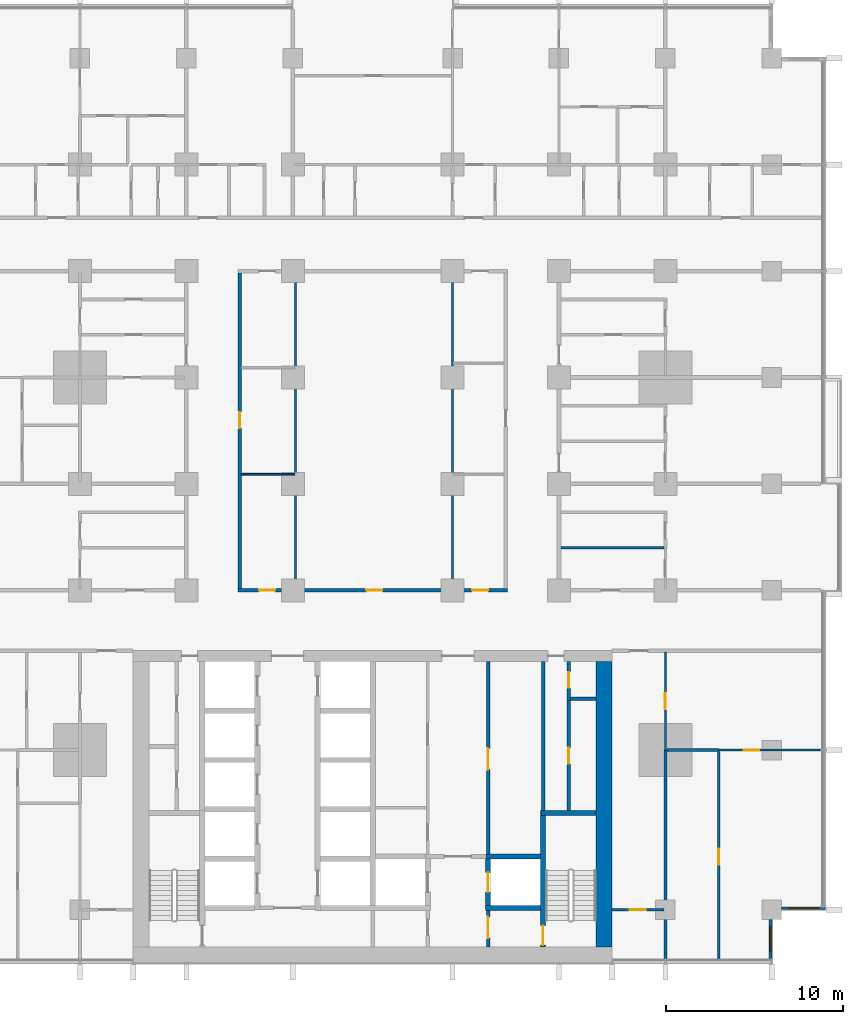
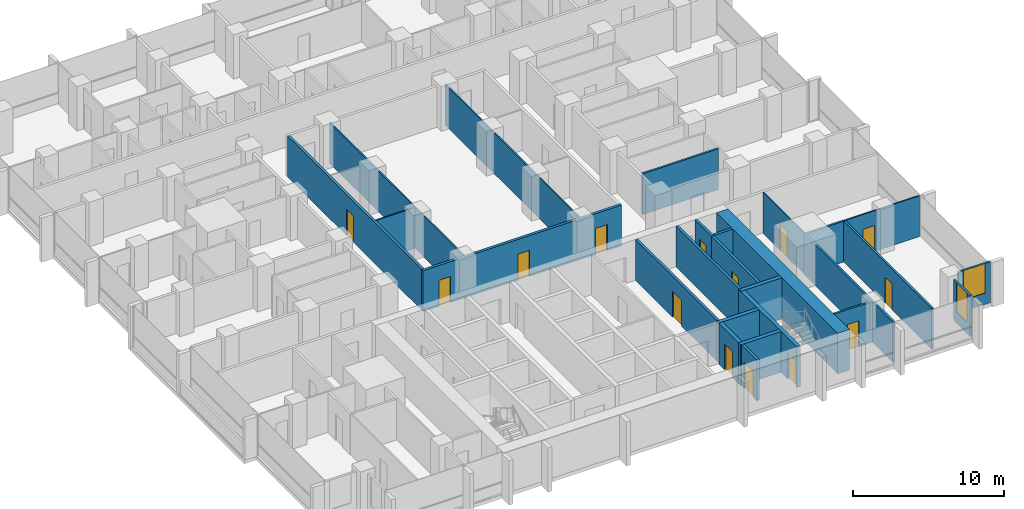
# One storey, part 9 of 18: 26 walls, 14 doors, 2 windows, 16 openings.
"""IFC4 building model written with IfcOpenShell, lengths in metres."""

from ifc_helpers import new_model, si_unit, direction, frame, frame_2d, origin, place, context, subcontext, project, spatial, rectangle, extrude, material, layer, layer_set, type_object, element, fill, save


model = new_model("IFC4")

# Units and contexts
model_context = context("Model", 3, precision=1e-05, world=origin(), true_north=direction((0.0, 1.0)))
body_context = subcontext(model_context, "Body", "Model", "MODEL_VIEW")
ifc_project = project(units=[si_unit("LENGTHUNIT", "METRE"), si_unit("AREAUNIT", "SQUARE_METRE"), si_unit("VOLUMEUNIT", "CUBIC_METRE"), si_unit("PLANEANGLEUNIT", "RADIAN"), si_unit("MASSUNIT", "GRAM", prefix="KILO")], contexts=[model_context])

# Site, building, storey
site_placement = place(None, origin())
site = spatial("IfcSite", under=ifc_project, at=site_placement, CompositionType="ELEMENT")
building_placement = place(site_placement, origin())
building = spatial("IfcBuilding", under=site, at=building_placement, Name="Finial Court Residences", CompositionType="ELEMENT")
storey_placement = place(building_placement, frame((0.0, 0.0, 43.300048828125)))
storey = spatial("IfcBuildingStorey", under=building, at=storey_placement, Name="L09", CompositionType="ELEMENT", Elevation=43.300048828125)

# Wall
ifc_material_1 = material(Name="Concrete C80/95", Category="concrete")
ifc_layer_1 = layer(ifc_material_1, 0.89990234375)
ifc_layer_set_1 = layer_set([ifc_layer_1], Name="Core outer wall 900 Concrete C80/95")
wall_type_1 = type_object("IfcWallType", Name="Core outer wall 900 Concrete C80/95", PredefinedType="SHEAR", material=ifc_layer_set_1)
wall_1_placement = place(storey_placement, frame((13.050048828125, -24.60009765625, 0.0), z_axis=(0.0, 0.0, 1.0), x_axis=(0.0, 1.0, 0.0)))
element("IfcWall", 1, at=wall_1_placement, inside=storey, type_object=wall_type_1, Name="Core outer wall L09-04", PredefinedType="SHEAR", context=body_context, shape_type="SweptSolid", body=[
    extrude(rectangle(XDim=16.10009765625, YDim=0.89990234375, at=frame_2d((8.050048828125, 0.0))), origin(), (0.0, 0.0, 1.0), 3.300048828125),
])

# Wall, openings, doors
ifc_material_2 = material(Name="Gypsum board")
ifc_layer_2 = layer(ifc_material_2, 0.02490234375)
ifc_material_3 = material(Name="Acoustic mineral wool in double frame")
ifc_layer_3 = layer(ifc_material_3, 0.14990234375)
ifc_layer_4 = layer(ifc_material_2, 0.02490234375)
ifc_layer_set_2 = layer_set([ifc_layer_2, ifc_layer_3, ifc_layer_4], Name="Corridor wall 200, 1 hour")
wall_type_2 = type_object("IfcWallType", Name="Corridor wall 200, 1 hour", PredefinedType="PARTITIONING", material=ifc_layer_set_2)
wall_2_placement = place(storey_placement, frame((-7.60009765625, -4.5, 0.0), z_axis=(0.0, 0.0, 1.0), x_axis=(1.0, 0.0, 0.0)))
wall_2 = element("IfcWall", 2, at=wall_2_placement, inside=storey, type_object=wall_type_2, Name="Partition L09-010", PredefinedType="PARTITIONING", context=body_context, shape_type="SweptSolid", body=[
    extrude(rectangle(XDim=15.2001953125, YDim=0.199951171875, at=frame_2d((7.60009765625, 0.0))), origin(), (0.0, 0.0, 1.0), 3.300048828125),
])
opening_1_placement = place(wall_2_placement, frame((1.199951171875, 0.0, 0.0)))
opening_1 = element("IfcOpeningElement", 3, at=opening_1_placement, cuts=wall_2, Name="Opening L09-D008", PredefinedType="OPENING", context=body_context, shape_type="SweptSolid", body=[
    extrude(rectangle(XDim=0.89990234375, YDim=2.10009765625, at=frame_2d((0.449951171875, 1.050048828125))), frame((0.0, 0.10986328125, 0.0), z_axis=(0.0, -1.0, 0.0), x_axis=(1.0, 0.0, 0.0)), (0.0, 0.0, 1.0), 0.219970703125),
])
opening_2_placement = place(wall_2_placement, frame((7.25, 0.0, 0.0)))
opening_2 = element("IfcOpeningElement", 4, at=opening_2_placement, cuts=wall_2, Name="Opening L09-D009", PredefinedType="OPENING", context=body_context, shape_type="SweptSolid", body=[
    extrude(rectangle(XDim=0.89990234375, YDim=2.10009765625, at=frame_2d((0.449951171875, 1.050048828125))), frame((0.0, 0.10986328125, 0.0), z_axis=(0.0, -1.0, 0.0), x_axis=(1.0, 0.0, 0.0)), (0.0, 0.0, 1.0), 0.219970703125),
])
opening_3_placement = place(wall_2_placement, frame((13.199951171875, 0.0, 0.0)))
opening_3 = element("IfcOpeningElement", 5, at=opening_3_placement, cuts=wall_2, Name="Opening L09-D010", PredefinedType="OPENING", context=body_context, shape_type="SweptSolid", body=[
    extrude(rectangle(XDim=0.89990234375, YDim=2.10009765625, at=frame_2d((0.449951171875, 1.050048828125))), frame((0.0, 0.10986328125, 0.0), z_axis=(0.0, -1.0, 0.0), x_axis=(1.0, 0.0, 0.0)), (0.0, 0.0, 1.0), 0.219970703125),
])
ifc_material_4 = material(Name="Timber door leaf in hollow metal frame", Category="wood")
door_type_1 = type_object("IfcDoorType", Name="Fire door set 900 x 2100, 30 minutes", OperationType="SINGLE_SWING_LEFT", PredefinedType="DOOR", material=ifc_material_4)
door_1_placement = place(opening_1_placement, origin())
door_1 = element("IfcDoor", 6, at=door_1_placement, inside=storey, type_object=door_type_1, Name="Door L09-D008", OperationType="SINGLE_SWING_RIGHT", OverallHeight=2.10009765625, OverallWidth=0.89990234375, PredefinedType="DOOR", context=body_context, shape_type="SweptSolid", body=[
    extrude(rectangle(XDim=0.89990234375, YDim=2.10009765625, at=frame_2d((0.449951171875, 1.050048828125))), frame((0.0, 0.02490234375, 0.0), z_axis=(0.0, -1.0, 0.0), x_axis=(1.0, 0.0, 0.0)), (0.0, 0.0, 1.0), 0.050048828125),
])
fill(opening_1, door_1)
door_2_placement = place(opening_2_placement, origin())
door_2 = element("IfcDoor", 7, at=door_2_placement, inside=storey, type_object=door_type_1, Name="Door L09-D009", OperationType="SINGLE_SWING_LEFT", OverallHeight=2.10009765625, OverallWidth=0.89990234375, PredefinedType="DOOR", context=body_context, shape_type="SweptSolid", body=[
    extrude(rectangle(XDim=0.89990234375, YDim=2.10009765625, at=frame_2d((0.449951171875, 1.050048828125))), frame((0.0, 0.02490234375, 0.0), z_axis=(0.0, -1.0, 0.0), x_axis=(1.0, 0.0, 0.0)), (0.0, 0.0, 1.0), 0.050048828125),
])
fill(opening_2, door_2)
door_3_placement = place(opening_3_placement, origin())
door_3 = element("IfcDoor", 8, at=door_3_placement, inside=storey, type_object=door_type_1, Name="Door L09-D010", OperationType="SINGLE_SWING_LEFT", OverallHeight=2.10009765625, OverallWidth=0.89990234375, PredefinedType="DOOR", context=body_context, shape_type="SweptSolid", body=[
    extrude(rectangle(XDim=0.89990234375, YDim=2.10009765625, at=frame_2d((0.449951171875, 1.050048828125))), frame((0.0, 0.02490234375, 0.0), z_axis=(0.0, -1.0, 0.0), x_axis=(1.0, 0.0, 0.0)), (0.0, 0.0, 1.0), 0.050048828125),
])
fill(opening_3, door_3)

# Wall, opening, door
wall_3_placement = place(storey_placement, frame((-7.5, -4.39990234375, 0.0), z_axis=(0.0, 0.0, 1.0), x_axis=(0.0, 1.0, 0.0)))
wall_3 = element("IfcWall", 9, at=wall_3_placement, inside=storey, type_object=wall_type_2, Name="Partition L09-080", PredefinedType="PARTITIONING", context=body_context, shape_type="SweptSolid", body=[
    extrude(rectangle(XDim=17.7998046875, YDim=0.199951171875, at=frame_2d((8.89990234375, 0.0))), origin(), (0.0, 0.0, 1.0), 3.300048828125),
])
opening_4_placement = place(wall_3_placement, frame((9.050048828125, 0.0, 0.0)))
opening_4 = element("IfcOpeningElement", 10, at=opening_4_placement, cuts=wall_3, Name="Opening L09-D050", PredefinedType="OPENING", context=body_context, shape_type="SweptSolid", body=[
    extrude(rectangle(XDim=0.89990234375, YDim=2.10009765625, at=frame_2d((0.449951171875, 1.050048828125))), frame((0.0, 0.10986328125, 0.0), z_axis=(0.0, -1.0, 0.0), x_axis=(1.0, 0.0, 0.0)), (0.0, 0.0, 1.0), 0.219970703125),
])
door_4_placement = place(opening_4_placement, origin())
door_4 = element("IfcDoor", 11, at=door_4_placement, inside=storey, type_object=door_type_1, Name="Door L09-D050", OperationType="SINGLE_SWING_RIGHT", OverallHeight=2.10009765625, OverallWidth=0.89990234375, PredefinedType="DOOR", context=body_context, shape_type="SweptSolid", body=[
    extrude(rectangle(XDim=0.89990234375, YDim=2.10009765625, at=frame_2d((0.449951171875, 1.050048828125))), frame((0.0, 0.02490234375, 0.0), z_axis=(0.0, -1.0, 0.0), x_axis=(1.0, 0.0, 0.0)), (0.0, 0.0, 1.0), 0.050048828125),
])
fill(opening_4, door_4)

ifc_material_5 = material(Name="Fire-rated gypsum board partition")
ifc_layer_5 = layer(ifc_material_5, 0.199951171875)
ifc_layer_set_3 = layer_set([ifc_layer_5], Name="Firefighting lobby wall 200 EI 120")
wall_type_3 = type_object("IfcWallType", Name="Firefighting lobby wall 200 EI 120", PredefinedType="PARTITIONING", material=ifc_layer_set_3)
wall_4_placement = place(storey_placement, frame((6.5, -22.550048828125, 0.0), z_axis=(0.0, 0.0, 1.0), x_axis=(0.0, -1.0, 0.0)))
wall_4 = element("IfcWall", 12, at=wall_4_placement, inside=storey, type_object=wall_type_3, Name="Core partition L09-32", PredefinedType="PARTITIONING", context=body_context, shape_type="SweptSolid", body=[
    extrude(rectangle(XDim=2.050048828125, YDim=0.199951171875, at=frame_2d((1.02490234375, 0.0))), origin(), (0.0, 0.0, 1.0), 3.300048828125),
])
opening_5_placement = place(wall_4_placement, frame((0.35009765625, 0.0, 0.0)))
opening_5 = element("IfcOpeningElement", 13, at=opening_5_placement, cuts=wall_4, Name="Opening L09-C01", PredefinedType="OPENING", context=body_context, shape_type="SweptSolid", body=[
    extrude(rectangle(XDim=1.199951171875, YDim=2.10009765625, at=frame_2d((0.60009765625, 1.050048828125))), frame((0.0, 0.10986328125, 0.0), z_axis=(0.0, -1.0, 0.0), x_axis=(1.0, 0.0, 0.0)), (0.0, 0.0, 1.0), 0.219970703125),
])
ifc_material_6 = material(Name="Steel fire door", Category="steel")
door_type_2 = type_object("IfcDoorType", Name="Firefighting lobby door 1200 x 2100 EI 90", OperationType="NOTDEFINED", PredefinedType="DOOR", material=ifc_material_6)
door_5_placement = place(opening_5_placement, origin())
door_5 = element("IfcDoor", 14, at=door_5_placement, inside=storey, type_object=door_type_2, Name="Firefighting lobby door L09-C01", OperationType="SINGLE_SWING_RIGHT", OverallHeight=2.10009765625, OverallWidth=1.199951171875, PredefinedType="DOOR", context=body_context, shape_type="SweptSolid", body=[
    extrude(rectangle(XDim=1.199951171875, YDim=2.10009765625, at=frame_2d((0.60009765625, 1.050048828125))), frame((0.0, 0.02490234375, 0.0), z_axis=(0.0, -1.0, 0.0), x_axis=(1.0, 0.0, 0.0)), (0.0, 0.0, 1.0), 0.050048828125),
])
fill(opening_5, door_5)

ifc_layer_6 = layer(ifc_material_2, 0.012451171875)
ifc_material_7 = material(Name="Mineral wool in light-gauge frame")
ifc_layer_7 = layer(ifc_material_7, 0.074951171875)
ifc_layer_8 = layer(ifc_material_2, 0.012451171875)
ifc_layer_set_4 = layer_set([ifc_layer_6, ifc_layer_7, ifc_layer_8], Name="Gypsum board partition 100")
wall_type_4 = type_object("IfcWallType", Name="Gypsum board partition 100", PredefinedType="PARTITIONING", material=ifc_layer_set_4)
wall_5_placement = place(storey_placement, frame((19.5, -13.5, 0.0), z_axis=(0.0, 0.0, 1.0), x_axis=(1.0, 0.0, 0.0)))
wall_5 = element("IfcWall", 15, at=wall_5_placement, inside=storey, type_object=wall_type_4, Name="Partition L09-004", PredefinedType="PARTITIONING", context=body_context, shape_type="SweptSolid", body=[
    extrude(rectangle(XDim=5.75, YDim=0.10009765625, at=frame_2d((2.875, 0.0))), origin(), (0.0, 0.0, 1.0), 3.300048828125),
])
opening_6_placement = place(wall_5_placement, frame((1.39990234375, 0.0, 0.0)))
opening_6 = element("IfcOpeningElement", 16, at=opening_6_placement, cuts=wall_5, Name="Opening L09-D004", PredefinedType="OPENING", context=body_context, shape_type="SweptSolid", body=[
    extrude(rectangle(XDim=0.89990234375, YDim=2.10009765625, at=frame_2d((0.449951171875, 1.050048828125))), frame((0.0, 0.06005859375, 0.0), z_axis=(0.0, -1.0, 0.0), x_axis=(1.0, 0.0, 0.0)), (0.0, 0.0, 1.0), 0.1201171875),
])
ifc_material_8 = material(Name="Timber door leaf in timber frame", Category="wood")
door_type_3 = type_object("IfcDoorType", Name="Door set 900 x 2100", OperationType="SINGLE_SWING_LEFT", PredefinedType="DOOR", material=ifc_material_8)
door_6_placement = place(opening_6_placement, origin())
door_6 = element("IfcDoor", 17, at=door_6_placement, inside=storey, type_object=door_type_3, Name="Door L09-D004", OperationType="SINGLE_SWING_LEFT", OverallHeight=2.10009765625, OverallWidth=0.89990234375, PredefinedType="DOOR", context=body_context, shape_type="SweptSolid", body=[
    extrude(rectangle(XDim=0.89990234375, YDim=2.10009765625, at=frame_2d((0.449951171875, 1.050048828125))), frame((0.0, 0.02490234375, 0.0), z_axis=(0.0, -1.0, 0.0), x_axis=(1.0, 0.0, 0.0)), (0.0, 0.0, 1.0), 0.050048828125),
])
fill(opening_6, door_6)

# Walls
wall_6_placement = place(storey_placement, frame((-7.39990234375, 2.050048828125, 0.0), z_axis=(0.0, 0.0, 1.0), x_axis=(1.0, 0.0, 0.0)))
element("IfcWall", 18, at=wall_6_placement, inside=storey, type_object=wall_type_4, Name="Partition L09-018", PredefinedType="PARTITIONING", context=body_context, shape_type="SweptSolid", body=[
    extrude(rectangle(XDim=3.0, YDim=0.10009765625, at=frame_2d((1.5, 0.0))), origin(), (0.0, 0.0, 1.0), 3.300048828125),
])
for number, where, z_axis, x_axis, name in (
    (19, (-4.35009765625, -4.39990234375, 0.0), (0.0, 0.0, 1.0), (0.0, 1.0, 0.0), "Partition L09-083"),
    (20, (4.5, -4.39990234375, 0.0), (0.0, 0.0, 1.0), (0.0, 1.0, 0.0), "Partition L09-086"),
):
    element("IfcWall", number, at=place(storey_placement, frame(where, z_axis=z_axis, x_axis=x_axis)), inside=storey, type_object=wall_type_4, Name=name, PredefinedType="PARTITIONING", context=body_context, shape_type="SweptSolid", body=[
        extrude(rectangle(XDim=17.7998046875, YDim=0.10009765625, at=frame_2d((8.89990234375, 0.0))), origin(), (0.0, 0.0, 1.0), 3.300048828125),
    ])

# Wall, opening, door
wall_7_placement = place(storey_placement, frame((16.5, -13.5, 0.0), z_axis=(0.0, 0.0, 1.0), x_axis=(0.0, 1.0, 0.0)))
wall_7 = element("IfcWall", 21, at=wall_7_placement, inside=storey, type_object=wall_type_4, Name="Partition L09-096", PredefinedType="PARTITIONING", context=body_context, shape_type="SweptSolid", body=[
    extrude(rectangle(XDim=5.5, YDim=0.10009765625, at=frame_2d((2.75, 0.0))), origin(), (0.0, 0.0, 1.0), 3.300048828125),
])
opening_7_placement = place(wall_7_placement, frame((2.300048828125, 0.0, 0.0)))
opening_7 = element("IfcOpeningElement", 22, at=opening_7_placement, cuts=wall_7, Name="Opening L09-D062", PredefinedType="OPENING", context=body_context, shape_type="SweptSolid", body=[
    extrude(rectangle(XDim=0.89990234375, YDim=2.10009765625, at=frame_2d((0.449951171875, 1.050048828125))), frame((0.0, 0.06005859375, 0.0), z_axis=(0.0, -1.0, 0.0), x_axis=(1.0, 0.0, 0.0)), (0.0, 0.0, 1.0), 0.1201171875),
])
door_7_placement = place(opening_7_placement, origin())
door_7 = element("IfcDoor", 23, at=door_7_placement, inside=storey, type_object=door_type_3, Name="Door L09-D062", OperationType="SINGLE_SWING_RIGHT", OverallHeight=2.10009765625, OverallWidth=0.89990234375, PredefinedType="DOOR", context=body_context, shape_type="SweptSolid", body=[
    extrude(rectangle(XDim=0.89990234375, YDim=2.10009765625, at=frame_2d((0.449951171875, 1.050048828125))), frame((0.0, 0.02490234375, 0.0), z_axis=(0.0, -1.0, 0.0), x_axis=(1.0, 0.0, 0.0)), (0.0, 0.0, 1.0), 0.050048828125),
])
fill(opening_7, door_7)

ifc_material_9 = material(Name="Moisture-resistant gypsum board")
ifc_layer_9 = layer(ifc_material_9, 0.012451171875)
ifc_layer_10 = layer(ifc_material_7, 0.125)
ifc_layer_11 = layer(ifc_material_9, 0.012451171875)
ifc_layer_set_5 = layer_set([ifc_layer_9, ifc_layer_10, ifc_layer_11], Name="Gypsum board wet-area partition 150")
wall_type_5 = type_object("IfcWallType", Name="Gypsum board wet-area partition 150", PredefinedType="PARTITIONING", material=ifc_layer_set_5)
wall_8_placement = place(storey_placement, frame((13.5, -22.5, 0.0), z_axis=(0.0, 0.0, 1.0), x_axis=(1.0, 0.0, 0.0)))
wall_8 = element("IfcWall", 24, at=wall_8_placement, inside=storey, type_object=wall_type_5, Name="Partition L09-001", PredefinedType="PARTITIONING", context=body_context, shape_type="SweptSolid", body=[
    extrude(rectangle(XDim=2.925048828125, YDim=0.14990234375, at=frame_2d((1.46240234375, 0.0))), origin(), (0.0, 0.0, 1.0), 3.300048828125),
])
opening_8_placement = place(wall_8_placement, frame((1.0, 0.0, 0.0)))
opening_8 = element("IfcOpeningElement", 25, at=opening_8_placement, cuts=wall_8, Name="Opening L09-D002", PredefinedType="OPENING", context=body_context, shape_type="SweptSolid", body=[
    extrude(rectangle(XDim=0.89990234375, YDim=2.10009765625, at=frame_2d((0.449951171875, 1.050048828125))), frame((0.0, 0.0849609375, 0.0), z_axis=(0.0, -1.0, 0.0), x_axis=(1.0, 0.0, 0.0)), (0.0, 0.0, 1.0), 0.169921875),
])
door_8_placement = place(opening_8_placement, origin())
door_8 = element("IfcDoor", 26, at=door_8_placement, inside=storey, type_object=door_type_3, Name="Door L09-D002", OperationType="SINGLE_SWING_RIGHT", OverallHeight=2.10009765625, OverallWidth=0.89990234375, PredefinedType="DOOR", context=body_context, shape_type="SweptSolid", body=[
    extrude(rectangle(XDim=0.89990234375, YDim=2.10009765625, at=frame_2d((0.449951171875, 1.050048828125))), frame((0.0, 0.02490234375, 0.0), z_axis=(0.0, -1.0, 0.0), x_axis=(1.0, 0.0, 0.0)), (0.0, 0.0, 1.0), 0.050048828125),
])
fill(opening_8, door_8)

# Walls
wall_9_placement = place(storey_placement, frame((16.574951171875, -13.5, 0.0), z_axis=(0.0, 0.0, 1.0), x_axis=(1.0, 0.0, 0.0)))
element("IfcWall", 27, at=wall_9_placement, inside=storey, type_object=wall_type_5, Name="Partition L09-006", PredefinedType="PARTITIONING", context=body_context, shape_type="SweptSolid", body=[
    extrude(rectangle(XDim=2.925048828125, YDim=0.14990234375, at=frame_2d((1.46240234375, 0.0))), origin(), (0.0, 0.0, 1.0), 3.300048828125),
])
wall_10_placement = place(storey_placement, frame((10.60009765625, -2.10009765625, 0.0), z_axis=(0.0, 0.0, 1.0), x_axis=(1.0, 0.0, 0.0)))
element("IfcWall", 28, at=wall_10_placement, inside=storey, type_object=wall_type_5, Name="Partition L09-013", PredefinedType="PARTITIONING", context=body_context, shape_type="SweptSolid", body=[
    extrude(rectangle(XDim=5.824951171875, YDim=0.14990234375, at=frame_2d((2.91259765625, 0.0))), origin(), (0.0, 0.0, 1.0), 3.300048828125),
])
wall_11_placement = place(storey_placement, frame((16.5, -25.25, 0.0), z_axis=(0.0, 0.0, 1.0), x_axis=(0.0, 1.0, 0.0)))
element("IfcWall", 29, at=wall_11_placement, inside=storey, type_object=wall_type_5, Name="Partition L09-102", PredefinedType="PARTITIONING", context=body_context, shape_type="SweptSolid", body=[
    extrude(rectangle(XDim=11.75, YDim=0.14990234375, at=frame_2d((5.875, 0.0))), origin(), (0.0, 0.0, 1.0), 3.300048828125),
])

# Wall, opening, door
wall_12_placement = place(storey_placement, frame((19.5, -25.25, 0.0), z_axis=(0.0, 0.0, 1.0), x_axis=(0.0, 1.0, 0.0)))
wall_12 = element("IfcWall", 30, at=wall_12_placement, inside=storey, type_object=wall_type_5, Name="Partition L09-107", PredefinedType="PARTITIONING", context=body_context, shape_type="SweptSolid", body=[
    extrude(rectangle(XDim=11.675048828125, YDim=0.14990234375, at=frame_2d((5.83740234375, 0.0))), origin(), (0.0, 0.0, 1.0), 3.300048828125),
])
opening_9_placement = place(wall_12_placement, frame((5.300048828125, 0.0, 0.0)))
opening_9 = element("IfcOpeningElement", 31, at=opening_9_placement, cuts=wall_12, Name="Opening L09-D069", PredefinedType="OPENING", context=body_context, shape_type="SweptSolid", body=[
    extrude(rectangle(XDim=0.89990234375, YDim=2.10009765625, at=frame_2d((0.449951171875, 1.050048828125))), frame((0.0, 0.0849609375, 0.0), z_axis=(0.0, -1.0, 0.0), x_axis=(1.0, 0.0, 0.0)), (0.0, 0.0, 1.0), 0.169921875),
])
door_9_placement = place(opening_9_placement, origin())
door_9 = element("IfcDoor", 32, at=door_9_placement, inside=storey, type_object=door_type_3, Name="Door L09-D069", OperationType="SINGLE_SWING_LEFT", OverallHeight=2.10009765625, OverallWidth=0.89990234375, PredefinedType="DOOR", context=body_context, shape_type="SweptSolid", body=[
    extrude(rectangle(XDim=0.89990234375, YDim=2.10009765625, at=frame_2d((0.449951171875, 1.050048828125))), frame((0.0, 0.02490234375, 0.0), z_axis=(0.0, -1.0, 0.0), x_axis=(1.0, 0.0, 0.0)), (0.0, 0.0, 1.0), 0.050048828125),
])
fill(opening_9, door_9)

# Walls
ifc_layer_12 = layer(ifc_material_1, 0.300048828125)
ifc_layer_set_6 = layer_set([ifc_layer_12], Name="Lift shaft and stair wall 300 Concrete C80/95")
wall_type_6 = type_object("IfcWallType", Name="Lift shaft and stair wall 300 Concrete C80/95", PredefinedType="SHEAR", material=ifc_layer_set_6)
wall_13_placement = place(storey_placement, frame((6.35009765625, -22.39990234375, 0.0), z_axis=(0.0, 0.0, 1.0), x_axis=(1.0, 0.0, 0.0)))
element("IfcWall", 33, at=wall_13_placement, inside=storey, type_object=wall_type_6, Name="Core wall L09-04", PredefinedType="SHEAR", context=body_context, shape_type="SweptSolid", body=[
    extrude(rectangle(XDim=3.099853515625, YDim=0.300048828125, at=frame_2d((1.5498046875, 0.0))), origin(), (0.0, 0.0, 1.0), 3.300048828125),
])
wall_14_placement = place(storey_placement, frame((6.39990234375, -19.5, 0.0), z_axis=(0.0, 0.0, 1.0), x_axis=(1.0, 0.0, 0.0)))
element("IfcWall", 34, at=wall_14_placement, inside=storey, type_object=wall_type_6, Name="Core wall L09-09", PredefinedType="SHEAR", context=body_context, shape_type="SweptSolid", body=[
    extrude(rectangle(XDim=3.050048828125, YDim=0.300048828125, at=frame_2d((1.52490234375, 0.0))), origin(), (0.0, 0.0, 1.0), 3.300048828125),
])
wall_15_placement = place(storey_placement, frame((9.5, -17.050048828125, 0.0), z_axis=(0.0, 0.0, 1.0), x_axis=(1.0, 0.0, 0.0)))
element("IfcWall", 35, at=wall_15_placement, inside=storey, type_object=wall_type_6, Name="Core wall L09-11", PredefinedType="SHEAR", context=body_context, shape_type="SweptSolid", body=[
    extrude(rectangle(XDim=3.10009765625, YDim=0.300048828125, at=frame_2d((1.550048828125, 0.0))), origin(), (0.0, 0.0, 1.0), 3.300048828125),
])

# Wall, opening, door
wall_16_placement = place(storey_placement, frame((6.5, -22.25, 0.0), z_axis=(0.0, 0.0, 1.0), x_axis=(0.0, 1.0, 0.0)))
wall_16 = element("IfcWall", 36, at=wall_16_placement, inside=storey, type_object=wall_type_6, Name="Core wall L09-33", PredefinedType="SHEAR", context=body_context, shape_type="SweptSolid", body=[
    extrude(rectangle(XDim=2.60009765625, YDim=0.300048828125, at=frame_2d((1.300048828125, 0.0))), origin(), (0.0, 0.0, 1.0), 3.300048828125),
])
opening_10_placement = place(wall_16_placement, frame((0.75, 0.0, 0.0)))
opening_10 = element("IfcOpeningElement", 37, at=opening_10_placement, cuts=wall_16, Name="Opening L09-LD02", PredefinedType="OPENING", context=body_context, shape_type="SweptSolid", body=[
    extrude(rectangle(XDim=1.10009765625, YDim=2.10009765625, at=frame_2d((0.550048828125, 1.050048828125))), frame((0.0, 0.159912109375, 0.0), z_axis=(0.0, -1.0, 0.0), x_axis=(1.0, 0.0, 0.0)), (0.0, 0.0, 1.0), 0.320068359375),
])
ifc_material_10 = material(Name="Stainless steel lift door", Category="steel")
door_type_4 = type_object("IfcDoorType", Name="Lift landing door 1100 x 2100 EI 90", OperationType="DOUBLE_DOOR_SLIDING", PredefinedType="DOOR", material=ifc_material_10)
door_10_placement = place(opening_10_placement, origin())
door_10 = element("IfcDoor", 38, at=door_10_placement, inside=storey, type_object=door_type_4, Name="Lift landing door FF2 L09", OperationType="DOUBLE_DOOR_SLIDING", OverallHeight=2.10009765625, OverallWidth=1.10009765625, PredefinedType="DOOR", context=body_context, shape_type="SweptSolid", body=[
    extrude(rectangle(XDim=1.10009765625, YDim=2.10009765625, at=frame_2d((0.550048828125, 1.050048828125))), frame((0.0, 0.02490234375, 0.0), z_axis=(0.0, -1.0, 0.0), x_axis=(1.0, 0.0, 0.0)), (0.0, 0.0, 1.0), 0.050048828125),
])
fill(opening_10, door_10)

wall_17_placement = place(storey_placement, frame((9.60009765625, -16.89990234375, 0.0), z_axis=(0.0, 0.0, 1.0), x_axis=(0.0, -1.0, 0.0)))
wall_17 = element("IfcWall", 39, at=wall_17_placement, inside=storey, type_object=wall_type_6, Name="Core wall L09-35", PredefinedType="SHEAR", context=body_context, shape_type="SweptSolid", body=[
    extrude(rectangle(XDim=7.7001953125, YDim=0.300048828125, at=frame_2d((3.85009765625, 0.0))), origin(), (0.0, 0.0, 1.0), 3.300048828125),
])
opening_11_placement = place(wall_17_placement, frame((6.5, 0.0, 0.0)))
opening_11 = element("IfcOpeningElement", 40, at=opening_11_placement, cuts=wall_17, Name="Opening L09-C17", PredefinedType="OPENING", context=body_context, shape_type="SweptSolid", body=[
    extrude(rectangle(XDim=1.10009765625, YDim=2.10009765625, at=frame_2d((0.550048828125, 1.050048828125))), frame((0.0, 0.159912109375, 0.0), z_axis=(0.0, -1.0, 0.0), x_axis=(1.0, 0.0, 0.0)), (0.0, 0.0, 1.0), 0.320068359375),
])
door_type_5 = type_object("IfcDoorType", Name="Stair door 1100 x 2100 EI 90", OperationType="NOTDEFINED", PredefinedType="DOOR", material=ifc_material_6)
door_11_placement = place(opening_11_placement, origin())
door_11 = element("IfcDoor", 41, at=door_11_placement, inside=storey, type_object=door_type_5, Name="Stair door L09-C17", OperationType="SINGLE_SWING_RIGHT", OverallHeight=2.10009765625, OverallWidth=1.10009765625, PredefinedType="DOOR", context=body_context, shape_type="SweptSolid", body=[
    extrude(rectangle(XDim=1.10009765625, YDim=2.10009765625, at=frame_2d((0.550048828125, 1.050048828125))), frame((0.0, 0.02490234375, 0.0), z_axis=(0.0, -1.0, 0.0), x_axis=(1.0, 0.0, 0.0)), (0.0, 0.0, 1.0), 0.050048828125),
])
fill(opening_11, door_11)

# Wall, opening, window
ifc_material_11 = material(Name="Natural limestone", Category="masonry")
ifc_layer_13 = layer(ifc_material_11, 0.14990234375)
ifc_layer_set_7 = layer_set([ifc_layer_13], Name="Limestone clad wall 150")
wall_type_7 = type_object("IfcWallType", Name="Limestone clad wall 150", PredefinedType="SOLIDWALL", material=ifc_layer_set_7)
wall_18_placement = place(storey_placement, frame((22.425048828125, -23.050048828125, 0.0), z_axis=(0.0, 0.0, 1.0), x_axis=(0.0, -1.0, 0.0)))
wall_18 = element("IfcWall", 42, at=wall_18_placement, inside=storey, type_object=wall_type_7, Name="E-L09-NWE14", PredefinedType="SOLIDWALL", context=body_context, shape_type="SweptSolid", body=[
    extrude(rectangle(XDim=2.199951171875, YDim=0.14990234375, at=frame_2d((1.10009765625, 0.0))), origin(), (0.0, 0.0, 1.0), 3.300048828125),
])
opening_12_placement = place(wall_18_placement, frame((0.39990234375, 0.0, 0.89990234375)))
opening_12 = element("IfcOpeningElement", 43, at=opening_12_placement, cuts=wall_18, Name="Opening WE09-03", PredefinedType="OPENING", context=body_context, shape_type="SweptSolid", body=[
    extrude(rectangle(XDim=1.39990234375, YDim=2.39990234375, at=frame_2d((0.699951171875, 1.199951171875))), frame((0.0, 0.0849609375, 0.0), z_axis=(0.0, -1.0, 0.0), x_axis=(1.0, 0.0, 0.0)), (0.0, 0.0, 1.0), 0.169921875),
])
ifc_material_12 = material(Name="Clear low-e glass", Category="glass")
window_type_1 = type_object("IfcWindowType", Name="Corner window 1400 x 2400", PartitioningType="SINGLE_PANEL", PredefinedType="WINDOW", material=ifc_material_12)
window_1_placement = place(opening_12_placement, origin())
window_1 = element("IfcWindow", 44, at=window_1_placement, inside=storey, type_object=window_type_1, Name="E-L09-NWE14-W1", OverallHeight=2.39990234375, OverallWidth=1.39990234375, PartitioningType="SINGLE_PANEL", PredefinedType="WINDOW", context=body_context, shape_type="SweptSolid", body=[
    extrude(rectangle(XDim=1.39990234375, YDim=2.39990234375, at=frame_2d((0.699951171875, 1.199951171875))), frame((0.0, 0.030029296875, 0.0), z_axis=(0.0, -1.0, 0.0), x_axis=(1.0, 0.0, 0.0)), (0.0, 0.0, 1.0), 0.06005859375),
])
fill(opening_12, window_1)

wall_19_placement = place(storey_placement, frame((25.5, -22.425048828125, 0.0), z_axis=(0.0, 0.0, 1.0), x_axis=(-1.0, 0.0, 0.0)))
wall_19 = element("IfcWall", 45, at=wall_19_placement, inside=storey, type_object=wall_type_7, Name="E-L09-NWS15", PredefinedType="SOLIDWALL", context=body_context, shape_type="SweptSolid", body=[
    extrude(rectangle(XDim=2.449951171875, YDim=0.14990234375, at=frame_2d((1.22509765625, 0.0))), origin(), (0.0, 0.0, 1.0), 3.300048828125),
])
opening_13_placement = place(wall_19_placement, frame((0.39990234375, 0.0, 0.89990234375)))
opening_13 = element("IfcOpeningElement", 46, at=opening_13_placement, cuts=wall_19, Name="Opening WE09-04", PredefinedType="OPENING", context=body_context, shape_type="SweptSolid", body=[
    extrude(rectangle(XDim=1.64990234375, YDim=2.39990234375, at=frame_2d((0.824951171875, 1.199951171875))), frame((0.0, 0.0849609375, 0.0), z_axis=(0.0, -1.0, 0.0), x_axis=(1.0, 0.0, 0.0)), (0.0, 0.0, 1.0), 0.169921875),
])
window_type_2 = type_object("IfcWindowType", Name="Corner window 1650 x 2400", PartitioningType="SINGLE_PANEL", PredefinedType="WINDOW", material=ifc_material_12)
window_2_placement = place(opening_13_placement, origin())
window_2 = element("IfcWindow", 47, at=window_2_placement, inside=storey, type_object=window_type_2, Name="E-L09-NWS15-W1", OverallHeight=2.39990234375, OverallWidth=1.64990234375, PartitioningType="SINGLE_PANEL", PredefinedType="WINDOW", context=body_context, shape_type="SweptSolid", body=[
    extrude(rectangle(XDim=1.64990234375, YDim=2.39990234375, at=frame_2d((0.824951171875, 1.199951171875))), frame((0.0, 0.030029296875, 0.0), z_axis=(0.0, -1.0, 0.0), x_axis=(1.0, 0.0, 0.0)), (0.0, 0.0, 1.0), 0.06005859375),
])
fill(opening_13, window_2)

# Wall
ifc_layer_14 = layer(ifc_material_5, 0.199951171875)
ifc_layer_set_8 = layer_set([ifc_layer_14], Name="Riser room wall 200 EI 120")
wall_type_8 = type_object("IfcWallType", Name="Riser room wall 200 EI 120", PredefinedType="PARTITIONING", material=ifc_layer_set_8)
wall_20_placement = place(storey_placement, frame((11.14990234375, -10.60009765625, 0.0), z_axis=(0.0, 0.0, 1.0), x_axis=(1.0, 0.0, 0.0)))
element("IfcWall", 48, at=wall_20_placement, inside=storey, type_object=wall_type_8, Name="Core partition L09-20", PredefinedType="PARTITIONING", context=body_context, shape_type="SweptSolid", body=[
    extrude(rectangle(XDim=1.4501953125, YDim=0.199951171875, at=frame_2d((0.72509765625, 0.0))), origin(), (0.0, 0.0, 1.0), 3.300048828125),
])

# Wall, opening, door
wall_21_placement = place(storey_placement, frame((6.5, -8.5, 0.0), z_axis=(0.0, 0.0, 1.0), x_axis=(0.0, -1.0, 0.0)))
wall_21 = element("IfcWall", 49, at=wall_21_placement, inside=storey, type_object=wall_type_8, Name="Core partition L09-34", PredefinedType="PARTITIONING", context=body_context, shape_type="SweptSolid", body=[
    extrude(rectangle(XDim=10.85009765625, YDim=0.199951171875, at=frame_2d((5.425048828125, 0.0))), origin(), (0.0, 0.0, 1.0), 3.300048828125),
])
opening_14_placement = place(wall_21_placement, frame((4.89990234375, 0.0, 0.0)))
opening_14 = element("IfcOpeningElement", 50, at=opening_14_placement, cuts=wall_21, Name="Opening L09-C09", PredefinedType="OPENING", context=body_context, shape_type="SweptSolid", body=[
    extrude(rectangle(XDim=1.199951171875, YDim=2.10009765625, at=frame_2d((0.60009765625, 1.050048828125))), frame((0.0, 0.10986328125, 0.0), z_axis=(0.0, -1.0, 0.0), x_axis=(1.0, 0.0, 0.0)), (0.0, 0.0, 1.0), 0.219970703125),
])
door_type_6 = type_object("IfcDoorType", Name="Riser room door 1200 x 2100 EI 90", OperationType="NOTDEFINED", PredefinedType="DOOR", material=ifc_material_6)
door_12_placement = place(opening_14_placement, origin())
door_12 = element("IfcDoor", 51, at=door_12_placement, inside=storey, type_object=door_type_6, Name="Riser room door L09-C09", OperationType="SINGLE_SWING_RIGHT", OverallHeight=2.10009765625, OverallWidth=1.199951171875, PredefinedType="DOOR", context=body_context, shape_type="SweptSolid", body=[
    extrude(rectangle(XDim=1.199951171875, YDim=2.10009765625, at=frame_2d((0.60009765625, 1.050048828125))), frame((0.0, 0.02490234375, 0.0), z_axis=(0.0, -1.0, 0.0), x_axis=(1.0, 0.0, 0.0)), (0.0, 0.0, 1.0), 0.050048828125),
])
fill(opening_14, door_12)

# Wall
wall_22_placement = place(storey_placement, frame((9.60009765625, -16.89990234375, 0.0), z_axis=(0.0, 0.0, 1.0), x_axis=(0.0, 1.0, 0.0)))
element("IfcWall", 52, at=wall_22_placement, inside=storey, type_object=wall_type_8, Name="Core partition L09-36", PredefinedType="PARTITIONING", context=body_context, shape_type="SweptSolid", body=[
    extrude(rectangle(XDim=8.39990234375, YDim=0.199951171875, at=frame_2d((4.199951171875, 0.0))), origin(), (0.0, 0.0, 1.0), 3.300048828125),
])

# Wall, opening, door
wall_23_placement = place(storey_placement, frame((11.050048828125, -8.5, 0.0), z_axis=(0.0, 0.0, 1.0), x_axis=(0.0, -1.0, 0.0)))
wall_23 = element("IfcWall", 53, at=wall_23_placement, inside=storey, type_object=wall_type_8, Name="Core partition L09-38", PredefinedType="PARTITIONING", context=body_context, shape_type="SweptSolid", body=[
    extrude(rectangle(XDim=2.199951171875, YDim=0.199951171875, at=frame_2d((1.10009765625, 0.0))), origin(), (0.0, 0.0, 1.0), 3.300048828125),
])
opening_15_placement = place(wall_23_placement, frame((0.60009765625, 0.0, 0.0)))
opening_15 = element("IfcOpeningElement", 54, at=opening_15_placement, cuts=wall_23, Name="Opening L09-C08", PredefinedType="OPENING", context=body_context, shape_type="SweptSolid", body=[
    extrude(rectangle(XDim=0.89990234375, YDim=2.10009765625, at=frame_2d((0.449951171875, 1.050048828125))), frame((0.0, 0.10986328125, 0.0), z_axis=(0.0, -1.0, 0.0), x_axis=(1.0, 0.0, 0.0)), (0.0, 0.0, 1.0), 0.219970703125),
])
door_type_7 = type_object("IfcDoorType", Name="Riser room door 900 x 2100 EI 90", OperationType="NOTDEFINED", PredefinedType="DOOR", material=ifc_material_6)
door_13_placement = place(opening_15_placement, origin())
door_13 = element("IfcDoor", 55, at=door_13_placement, inside=storey, type_object=door_type_7, Name="Riser room door L09-C08", OperationType="SINGLE_SWING_RIGHT", OverallHeight=2.10009765625, OverallWidth=0.89990234375, PredefinedType="DOOR", context=body_context, shape_type="SweptSolid", body=[
    extrude(rectangle(XDim=0.89990234375, YDim=2.10009765625, at=frame_2d((0.449951171875, 1.050048828125))), frame((0.0, 0.02490234375, 0.0), z_axis=(0.0, -1.0, 0.0), x_axis=(1.0, 0.0, 0.0)), (0.0, 0.0, 1.0), 0.050048828125),
])
fill(opening_15, door_13)

ifc_layer_15 = layer(ifc_material_5, 0.199951171875)
ifc_layer_set_9 = layer_set([ifc_layer_15], Name="Stair passage wall 200 EI 180")
wall_type_9 = type_object("IfcWallType", Name="Stair passage wall 200 EI 180", PredefinedType="PARTITIONING", material=ifc_layer_set_9)
wall_24_placement = place(storey_placement, frame((11.050048828125, -10.5, 0.0), z_axis=(0.0, 0.0, 1.0), x_axis=(0.0, -1.0, 0.0)))
wall_24 = element("IfcWall", 56, at=wall_24_placement, inside=storey, type_object=wall_type_9, Name="Core partition L09-37", PredefinedType="PARTITIONING", context=body_context, shape_type="SweptSolid", body=[
    extrude(rectangle(XDim=6.39990234375, YDim=0.199951171875, at=frame_2d((3.199951171875, 0.0))), origin(), (0.0, 0.0, 1.0), 3.300048828125),
])
opening_16_placement = place(wall_24_placement, frame((2.875, 0.0, 0.0)))
opening_16 = element("IfcOpeningElement", 57, at=opening_16_placement, cuts=wall_24, Name="Opening L09-C13", PredefinedType="OPENING", context=body_context, shape_type="SweptSolid", body=[
    extrude(rectangle(XDim=0.89990234375, YDim=2.10009765625, at=frame_2d((0.449951171875, 1.050048828125))), frame((0.0, 0.10986328125, 0.0), z_axis=(0.0, -1.0, 0.0), x_axis=(1.0, 0.0, 0.0)), (0.0, 0.0, 1.0), 0.219970703125),
])
door_type_8 = type_object("IfcDoorType", Name="Core room door 900 x 2100 EI 60", OperationType="NOTDEFINED", PredefinedType="DOOR", material=ifc_material_6)
door_14_placement = place(opening_16_placement, origin())
door_14 = element("IfcDoor", 58, at=door_14_placement, inside=storey, type_object=door_type_8, Name="Core room door L09-C13", OperationType="SINGLE_SWING_LEFT", OverallHeight=2.10009765625, OverallWidth=0.89990234375, PredefinedType="DOOR", context=body_context, shape_type="SweptSolid", body=[
    extrude(rectangle(XDim=0.89990234375, YDim=2.10009765625, at=frame_2d((0.449951171875, 1.050048828125))), frame((0.0, 0.02490234375, 0.0), z_axis=(0.0, -1.0, 0.0), x_axis=(1.0, 0.0, 0.0)), (0.0, 0.0, 1.0), 0.050048828125),
])
fill(opening_16, door_14)

save(model, "model.ifc")
